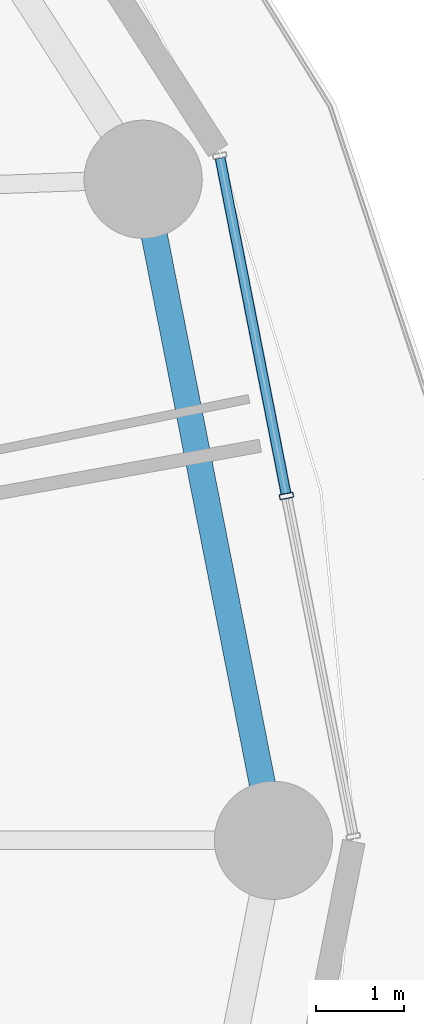
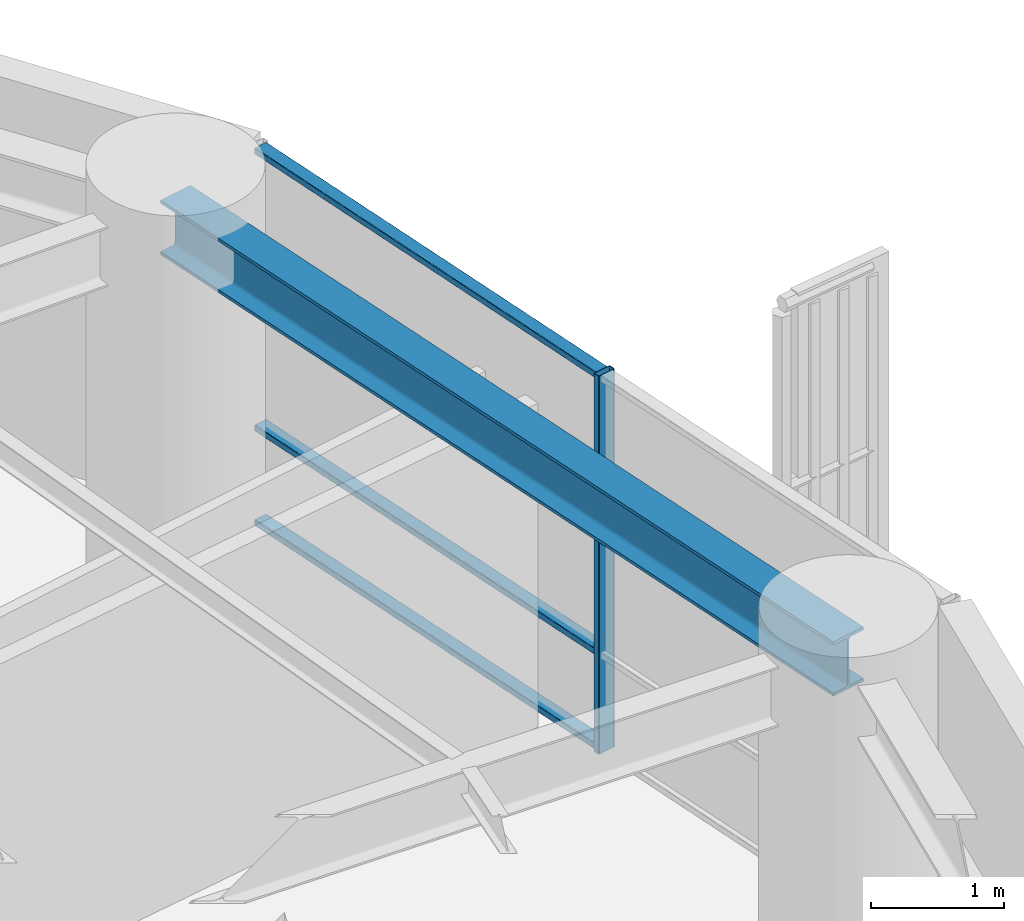
# One storey, part 17 of 35: 4 members, 1 beam, 1 element without a shape of its own.
"""IFC4 building model written with IfcOpenShell, lengths in metres."""

from ifc_helpers import new_model, si_unit, direction, frame, origin, origin_2d, place, context, subcontext, project, spatial, hollow_rectangle, i_section, extrude, material, layer, layer_set, material_profile, profile_set, type_object, element, aggregate, save


model = new_model("IFC4")

# Units and contexts
model_context = context("Model", 3, precision=1e-05, world=origin(), true_north=direction((0.0, 1.0)))
body_context = subcontext(model_context, "Body", "Model", "MODEL_VIEW")
ifc_project = project(units=[si_unit("LENGTHUNIT", "METRE"), si_unit("AREAUNIT", "SQUARE_METRE"), si_unit("VOLUMEUNIT", "CUBIC_METRE"), si_unit("PLANEANGLEUNIT", "RADIAN"), si_unit("MASSUNIT", "GRAM", prefix="KILO")], contexts=[model_context])

# Site, building, storey
site_placement = place(None, origin())
site = spatial("IfcSite", under=ifc_project, at=site_placement, CompositionType="ELEMENT")
building_placement = place(site_placement, origin())
building = spatial("IfcBuilding", under=site, at=building_placement, Name="Kelanora Arch Commons", CompositionType="ELEMENT")
storey_placement = place(building_placement, frame((0.0, 0.0, 117.60009765625)))
storey = spatial("IfcBuildingStorey", under=building, at=storey_placement, Name="L30", CompositionType="ELEMENT", Elevation=117.60009765625)

# Beam
ifc_material_1 = material(Name="Steel S355", Category="steel")
ifc_material_profile_1 = material_profile(ifc_material_1, i_section(OverallWidth=0.300048828125, OverallDepth=0.5, WebThickness=0.014404296875, FlangeThickness=0.028076171875, FilletRadius=0.027099609375, at=origin_2d()), Name="HEB500")
ifc_profile_set_1 = profile_set([ifc_material_profile_1], Name="Steel S355")
beam_type = type_object("IfcBeamType", Name="BM-SPN-Z2", PredefinedType="SPANDREL", material=ifc_profile_set_1)
beam_placement = place(storey_placement, frame((98.679931640625, 58.0, 3.239990234375), z_axis=(-0.19335825777, 0.981128220037, 0.0), x_axis=(-0.981128220037, -0.19335825777, 0.0)))
element("IfcBeam", 1, at=beam_placement, inside=storey, type_object=beam_type, Name="Perimeter Spandrel Beam BS-00 L30", PredefinedType="SPANDREL", context=body_context, shape_type="SweptSolid", body=[
    extrude(i_section(OverallWidth=0.300048828125, OverallDepth=0.5, WebThickness=0.014404296875, FlangeThickness=0.028076171875, FilletRadius=0.027099609375, at=origin_2d()), origin(), (0.0, 0.0, 1.0), 7.697021484375),
])

# Curtain wall, members
ifc_material_2 = material(Name="Terracotta ceramic-fritted low-E glass and aluminium", Category="masonry")
ifc_layer = layer(ifc_material_2, 0.159912109375)
ifc_layer_set = layer_set([ifc_layer], Name="Terracotta ceramic-fritted low-E glass and aluminium")
curtain_wall_type = type_object("IfcCurtainWallType", Name="CW-SYS-01", PredefinedType="NOTDEFINED", material=ifc_layer_set)
curtain_wall_placement = place(storey_placement, origin())
curtain_wall = element("IfcCurtainWall", 2, at=curtain_wall_placement, inside=storey, type_object=curtain_wall_type, Name="Unitised Curtain Wall L30-B00", PredefinedType="NOTDEFINED")
ifc_material_3 = material(Name="Powder-coated aluminium terracotta", Category="masonry")
ifc_material_profile_2 = material_profile(ifc_material_3, hollow_rectangle(XDim=0.159912109375, YDim=0.06005859375, WallThickness=0.0048828125, InnerFilletRadius=0.0048828125, OuterFilletRadius=0.010009765625, at=origin_2d()), Name="CWM160x60")
ifc_profile_set_2 = profile_set([ifc_material_profile_2], Name="Powder-coated aluminium terracotta")
member_type_1 = type_object("IfcMemberType", Name="CWM-STD", PredefinedType="MULLION", material=ifc_profile_set_2)
member_1_placement = place(storey_placement, frame((98.828125, 61.933349609375, 0.0), z_axis=(0.0, 0.0, 1.0), x_axis=(-0.981280311646, -0.192584916272, 0.0)))
member_1 = element("IfcMember", 3, at=member_1_placement, type_object=member_type_1, Name="CW-01 mullion 2", PredefinedType="MULLION", context=body_context, shape_type="SweptSolid", body=[
    extrude(hollow_rectangle(XDim=0.159912109375, YDim=0.06005859375, WallThickness=0.0048828125, InnerFilletRadius=0.0048828125, OuterFilletRadius=0.010009765625, at=origin_2d()), origin(), (0.0, 0.0, 1.0), 3.474853515625),
])
ifc_material_profile_3 = material_profile(ifc_material_3, hollow_rectangle(XDim=0.1201171875, YDim=0.06005859375, WallThickness=0.0048828125, InnerFilletRadius=0.0048828125, OuterFilletRadius=0.010009765625, at=origin_2d()), Name="CWT120x60")
ifc_profile_set_3 = profile_set([ifc_material_profile_3], Name="Powder-coated aluminium terracotta")
member_type_2 = type_object("IfcMemberType", Name="CWT-STD", PredefinedType="USERDEFINED", material=ifc_profile_set_3)
member_2_placement = place(storey_placement, frame((98.822265625, 61.962646484375, 0.02978515625), z_axis=(-0.192578614785, 0.981281548348, 0.0), x_axis=(-0.981281548348, -0.192578614785, 0.0)))
member_2 = element("IfcMember", 4, at=member_2_placement, type_object=member_type_2, Name="CW-01 transom 2.1", ObjectType="TRANSOM", PredefinedType="USERDEFINED", context=body_context, shape_type="SweptSolid", body=[
    extrude(hollow_rectangle(XDim=0.1201171875, YDim=0.06005859375, WallThickness=0.0048828125, InnerFilletRadius=0.0048828125, OuterFilletRadius=0.010009765625, at=origin_2d()), origin(), (0.0, 0.0, 1.0), 3.9033203125),
])
member_3_placement = place(storey_placement, frame((98.822265625, 61.962646484375, 0.89990234375), z_axis=(-0.192578614785, 0.981281548348, 0.0), x_axis=(-0.981281548348, -0.192578614785, 0.0)))
member_3 = element("IfcMember", 5, at=member_3_placement, type_object=member_type_2, Name="CW-01 transom 2.2", ObjectType="TRANSOM", PredefinedType="USERDEFINED", context=body_context, shape_type="SweptSolid", body=[
    extrude(hollow_rectangle(XDim=0.1201171875, YDim=0.06005859375, WallThickness=0.0048828125, InnerFilletRadius=0.0048828125, OuterFilletRadius=0.010009765625, at=origin_2d()), origin(), (0.0, 0.0, 1.0), 3.9033203125),
])
member_4_placement = place(storey_placement, frame((98.822265625, 61.962646484375, 3.44482421875), z_axis=(-0.192578614785, 0.981281548348, 0.0), x_axis=(-0.981281548348, -0.192578614785, 0.0)))
member_4 = element("IfcMember", 6, at=member_4_placement, type_object=member_type_2, Name="CW-01 transom 2.3", ObjectType="TRANSOM", PredefinedType="USERDEFINED", context=body_context, shape_type="SweptSolid", body=[
    extrude(hollow_rectangle(XDim=0.1201171875, YDim=0.06005859375, WallThickness=0.0048828125, InnerFilletRadius=0.0048828125, OuterFilletRadius=0.010009765625, at=origin_2d()), origin(), (0.0, 0.0, 1.0), 3.9033203125),
])
aggregate(curtain_wall, [member_1, member_2, member_3, member_4])

save(model, "model.ifc")
